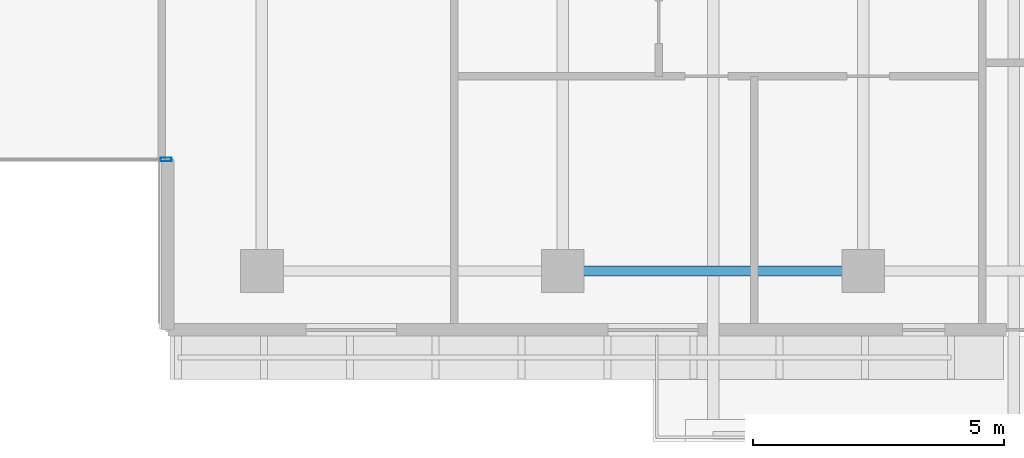
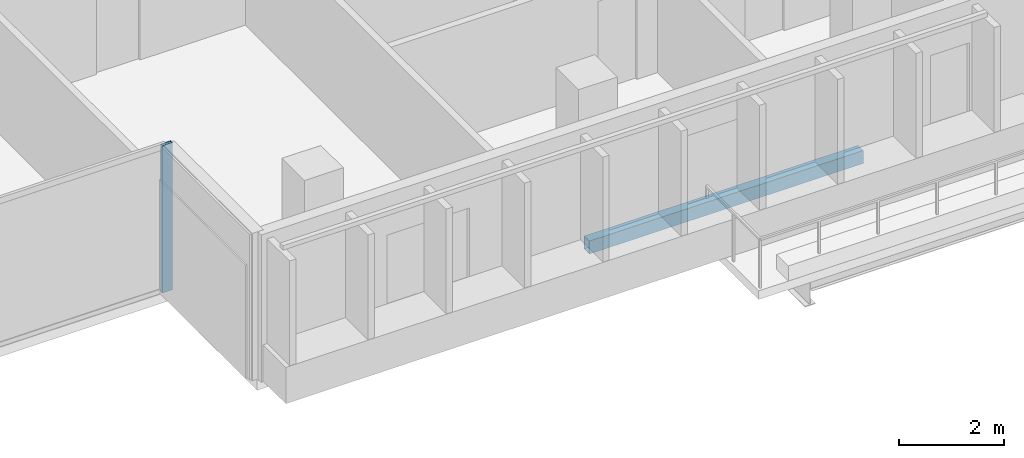
# One storey, part 6 of 30: 1 beam, 1 member, 1 element without a shape of its own.
"""IFC4 building model written with IfcOpenShell, lengths in metres."""

from ifc_helpers import new_model, si_unit, direction, frame, origin, origin_2d, place, context, subcontext, project, spatial, hollow_rectangle, extrude, material, layer, layer_set, material_profile, profile_set, type_object, element, aggregate, save


model = new_model("IFC4")

# Units and contexts
model_context = context("Model", 3, precision=1e-05, world=origin(), true_north=direction((0.0, 1.0)))
body_context = subcontext(model_context, "Body", "Model", "MODEL_VIEW")
ifc_project = project(units=[si_unit("LENGTHUNIT", "METRE"), si_unit("AREAUNIT", "SQUARE_METRE"), si_unit("VOLUMEUNIT", "CUBIC_METRE"), si_unit("PLANEANGLEUNIT", "RADIAN"), si_unit("MASSUNIT", "GRAM", prefix="KILO")], contexts=[model_context])

# Site, building, storey
site_placement = place(None, origin())
site = spatial("IfcSite", under=ifc_project, at=site_placement, CompositionType="ELEMENT")
building_placement = place(site_placement, origin())
building = spatial("IfcBuilding", under=site, at=building_placement, Name="Tanjung Sevakor Pilgrim Tower", CompositionType="ELEMENT")
storey_placement = place(building_placement, frame((0.0, 0.0, 165.659912109375)))
storey = spatial("IfcBuildingStorey", under=building, at=storey_placement, Name="L46", CompositionType="ELEMENT", Elevation=165.659912109375)

# Beam
ifc_material_1 = material(Name="Steel S355J2", Category="steel")
ifc_material_profile_1 = material_profile(ifc_material_1, hollow_rectangle(XDim=0.199951171875, YDim=0.300048828125, WallThickness=0.012451171875, at=origin_2d()))
ifc_profile_set_1 = profile_set([ifc_material_profile_1], Name="Steel S355J2")
beam_type = type_object("IfcBeamType", Name="BM-B-SP3-RHS_300x200x12.5", PredefinedType="SPANDREL", material=ifc_profile_set_1)
beam_placement = place(storey_placement, frame((60.0, 13.199951171875, -0.369873046875), z_axis=(1.0, 0.0, 0.0), x_axis=(0.0, 1.0, 0.0)))
element("IfcBeam", 1, at=beam_placement, inside=storey, type_object=beam_type, Name="L46 Spandrel MAIN S-09", PredefinedType="SPANDREL", context=body_context, shape_type="SweptSolid", body=[
    extrude(hollow_rectangle(XDim=0.199951171875, YDim=0.300048828125, WallThickness=0.012451171875, at=origin_2d()), origin(), (0.0, 0.0, 1.0), 6.0),
])

# Curtain wall, member
ifc_material_2 = material(Name="Aluminium 6063-T6 and Low-E Glass", Category="aluminium")
ifc_layer = layer(ifc_material_2, 0.179931640625)
ifc_layer_set = layer_set([ifc_layer], Name="CW-SYS-CLEFT")
curtain_wall_type = type_object("IfcCurtainWallType", Name="CW-SYS-CLEFT", PredefinedType="NOTDEFINED", material=ifc_layer_set)
curtain_wall_placement = place(storey_placement, origin())
curtain_wall = element("IfcCurtainWall", 2, at=curtain_wall_placement, inside=storey, type_object=curtain_wall_type, Name="L46 Curtain Wall CW-CLF-L46-2", PredefinedType="NOTDEFINED")
ifc_material_3 = material(Name="Aluminium 6063-T6", Category="aluminium")
ifc_material_profile_2 = material_profile(ifc_material_3, hollow_rectangle(XDim=0.074951171875, YDim=0.219970703125, WallThickness=0.0048828125, at=origin_2d()))
ifc_profile_set_2 = profile_set([ifc_material_profile_2], Name="Aluminium 6063-T6")
member_type = type_object("IfcMemberType", Name="TYPE-CWM-2", PredefinedType="MULLION", material=ifc_profile_set_2)
member_placement = place(storey_placement, frame((52.08740234375, 15.425048828125, 0.0), z_axis=(0.0, 0.0, 1.0), x_axis=(0.0, 1.0, 0.0)))
member = element("IfcMember", 3, at=member_placement, type_object=member_type, Name="CW-CLF mullion 2", PredefinedType="MULLION", context=body_context, shape_type="SweptSolid", body=[
    extrude(hollow_rectangle(XDim=0.074951171875, YDim=0.219970703125, WallThickness=0.0048828125, at=origin_2d()), origin(), (0.0, 0.0, 1.0), 3.41015625),
])
aggregate(curtain_wall, [member])

save(model, "model.ifc")
